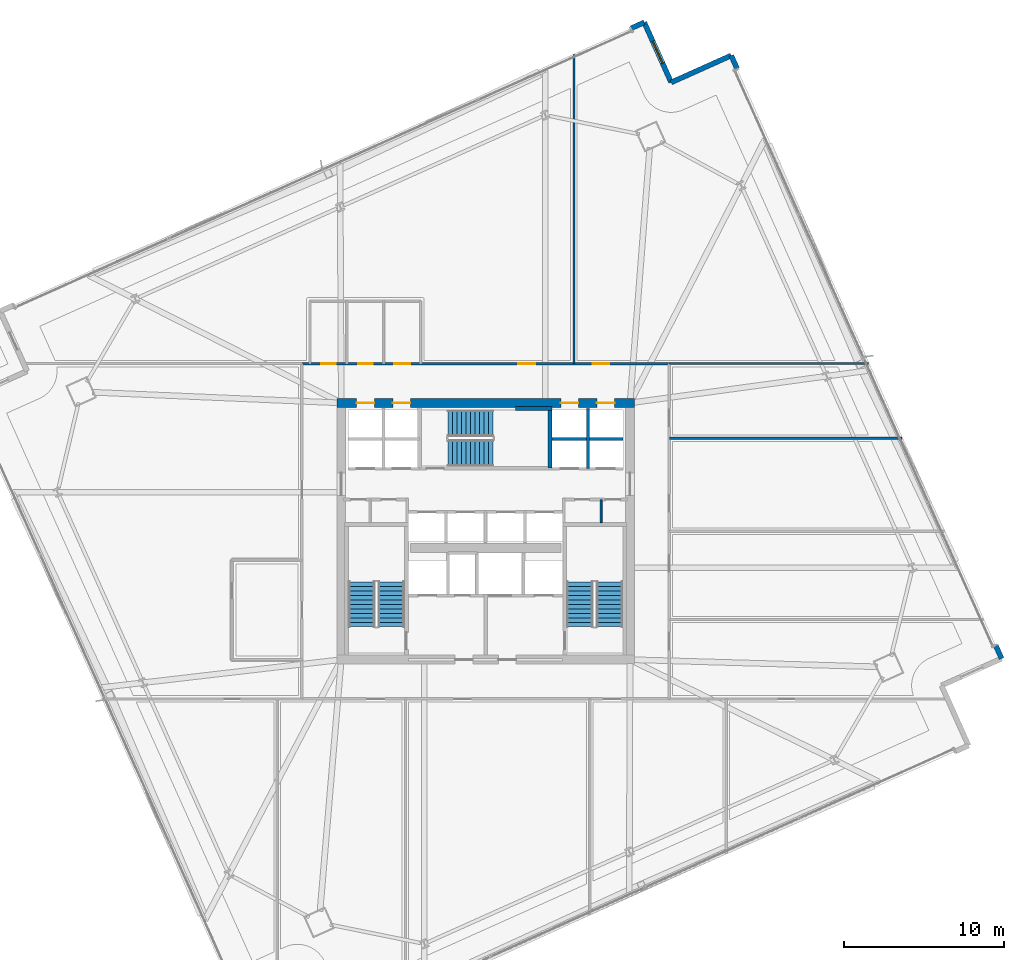
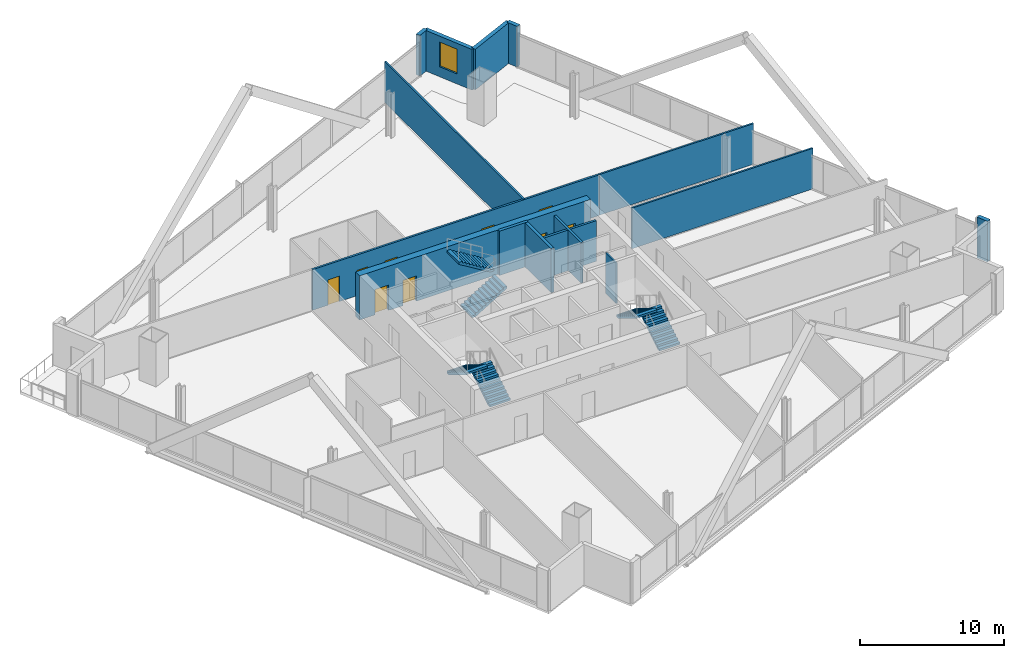
# One storey, part 31 of 38: 15 walls, 9 doors, 6 stair flights, 1 window, 10 openings, 3 elements without a shape of their own.
"""IFC4 building model written with IfcOpenShell, lengths in metres."""

from ifc_helpers import new_model, si_unit, direction, frame, frame_2d, origin, place, context, subcontext, project, spatial, polyline, rectangle, outline, extrude, material, layer, layer_set, type_object, element, fill, aggregate, save


model = new_model("IFC4")

# Units and contexts
model_context = context("Model", 3, precision=1e-05, world=origin(), true_north=direction((0.0, 1.0)))
body_context = subcontext(model_context, "Body", "Model", "MODEL_VIEW")
ifc_project = project(units=[si_unit("LENGTHUNIT", "METRE"), si_unit("AREAUNIT", "SQUARE_METRE"), si_unit("VOLUMEUNIT", "CUBIC_METRE"), si_unit("PLANEANGLEUNIT", "RADIAN"), si_unit("MASSUNIT", "GRAM", prefix="KILO")], contexts=[model_context])

# Site, building, storey
site_placement = place(None, origin())
site = spatial("IfcSite", under=ifc_project, at=site_placement, CompositionType="ELEMENT")
building_placement = place(site_placement, origin())
building = spatial("IfcBuilding", under=site, at=building_placement, Name="Haldenkirk Collegiate Tower", CompositionType="ELEMENT")
storey_placement = place(building_placement, frame((0.0, 0.0, 109.199951171875)))
storey = spatial("IfcBuildingStorey", under=building, at=storey_placement, Name="L26", CompositionType="ELEMENT", Elevation=109.199951171875)

# Wall, openings, doors
ifc_material_1 = material(Name="Concrete f'c 70 MPa", Category="concrete")
ifc_layer_1 = layer(ifc_material_1, 0.550048828125)
ifc_layer_set_1 = layer_set([ifc_layer_1], Name="Concrete f'c 70 MPa")
wall_type_1 = type_object("IfcWallType", Name="WL-CORE-550", PredefinedType="SHEAR", material=ifc_layer_set_1)
wall_1_placement = place(storey_placement, frame((26.72509765625, 34.0, 0.0), z_axis=(0.0, 0.0, 1.0), x_axis=(1.0, 0.0, 0.0)))
wall_1 = element("IfcWall", 1, at=wall_1_placement, inside=storey, type_object=wall_type_1, Name="L26 central core shear wall N", PredefinedType="SHEAR", context=body_context, shape_type="SweptSolid", body=[
    extrude(rectangle(XDim=18.5498046875, YDim=0.550048828125, at=frame_2d((9.27490234375, 0.0))), origin(), (0.0, 0.0, 1.0), 3.75),
])
opening_1_placement = place(wall_1_placement, frame((1.239990234375, 0.0, 0.0)))
opening_1 = element("IfcOpeningElement", 2, at=opening_1_placement, cuts=wall_1, Name="Opening LD-11", PredefinedType="OPENING", context=body_context, shape_type="SweptSolid", body=[
    extrude(rectangle(XDim=1.10009765625, YDim=2.14990234375, at=frame_2d((0.550048828125, 1.074951171875))), frame((0.0, 0.284912109375, 0.0), z_axis=(0.0, -1.0, 0.0), x_axis=(1.0, 0.0, 0.0)), (0.0, 0.0, 1.0), 0.570068359375),
])
opening_2_placement = place(wall_1_placement, frame((3.489990234375, 0.0, 0.0)))
opening_2 = element("IfcOpeningElement", 3, at=opening_2_placement, cuts=wall_1, Name="Opening LD-11", PredefinedType="OPENING", context=body_context, shape_type="SweptSolid", body=[
    extrude(rectangle(XDim=1.10009765625, YDim=2.14990234375, at=frame_2d((0.550048828125, 1.074951171875))), frame((0.0, 0.284912109375, 0.0), z_axis=(0.0, -1.0, 0.0), x_axis=(1.0, 0.0, 0.0)), (0.0, 0.0, 1.0), 0.570068359375),
])
opening_3_placement = place(wall_1_placement, frame((13.9599609375, 0.0, 0.0)))
opening_3 = element("IfcOpeningElement", 4, at=opening_3_placement, cuts=wall_1, Name="Opening LD-11", PredefinedType="OPENING", context=body_context, shape_type="SweptSolid", body=[
    extrude(rectangle(XDim=1.10009765625, YDim=2.14990234375, at=frame_2d((0.550048828125, 1.074951171875))), frame((0.0, 0.284912109375, 0.0), z_axis=(0.0, -1.0, 0.0), x_axis=(1.0, 0.0, 0.0)), (0.0, 0.0, 1.0), 0.570068359375),
])
opening_4_placement = place(wall_1_placement, frame((16.2099609375, 0.0, 0.0)))
opening_4 = element("IfcOpeningElement", 5, at=opening_4_placement, cuts=wall_1, Name="Opening LD-11", PredefinedType="OPENING", context=body_context, shape_type="SweptSolid", body=[
    extrude(rectangle(XDim=1.10009765625, YDim=2.14990234375, at=frame_2d((0.550048828125, 1.074951171875))), frame((0.0, 0.284912109375, 0.0), z_axis=(0.0, -1.0, 0.0), x_axis=(1.0, 0.0, 0.0)), (0.0, 0.0, 1.0), 0.570068359375),
])
ifc_material_2 = material(Name="Brushed architectural stainless steel", Category="steel")
ifc_layer_2 = layer(ifc_material_2, 0.06005859375)
ifc_layer_set_2 = layer_set([ifc_layer_2], Name="Brushed architectural stainless steel")
door_type_1 = type_object("IfcDoorType", Name="LD-PASS-1100", OperationType="NOTDEFINED", PredefinedType="DOOR", material=ifc_layer_set_2)
door_1_placement = place(opening_1_placement, origin())
door_1 = element("IfcDoor", 6, at=door_1_placement, inside=storey, type_object=door_type_1, Name="L26 Elevator PL3 sliding landing door", OperationType="SLIDING_TO_LEFT", OverallHeight=2.14990234375, OverallWidth=1.10009765625, PredefinedType="DOOR", context=body_context, shape_type="SweptSolid", body=[
    extrude(rectangle(XDim=1.10009765625, YDim=2.14990234375, at=frame_2d((0.550048828125, 1.074951171875))), frame((0.0, 0.02490234375, 0.0), z_axis=(0.0, -1.0, 0.0), x_axis=(1.0, 0.0, 0.0)), (0.0, 0.0, 1.0), 0.050048828125),
])
fill(opening_1, door_1)
door_2_placement = place(opening_2_placement, origin())
door_2 = element("IfcDoor", 7, at=door_2_placement, inside=storey, type_object=door_type_1, Name="L26 Elevator PL4 sliding landing door", OperationType="SLIDING_TO_LEFT", OverallHeight=2.14990234375, OverallWidth=1.10009765625, PredefinedType="DOOR", context=body_context, shape_type="SweptSolid", body=[
    extrude(rectangle(XDim=1.10009765625, YDim=2.14990234375, at=frame_2d((0.550048828125, 1.074951171875))), frame((0.0, 0.02490234375, 0.0), z_axis=(0.0, -1.0, 0.0), x_axis=(1.0, 0.0, 0.0)), (0.0, 0.0, 1.0), 0.050048828125),
])
fill(opening_2, door_2)
door_3_placement = place(opening_3_placement, origin())
door_3 = element("IfcDoor", 8, at=door_3_placement, inside=storey, type_object=door_type_1, Name="L26 Elevator PM3 sliding landing door", OperationType="SLIDING_TO_LEFT", OverallHeight=2.14990234375, OverallWidth=1.10009765625, PredefinedType="DOOR", context=body_context, shape_type="SweptSolid", body=[
    extrude(rectangle(XDim=1.10009765625, YDim=2.14990234375, at=frame_2d((0.550048828125, 1.074951171875))), frame((0.0, 0.02490234375, 0.0), z_axis=(0.0, -1.0, 0.0), x_axis=(1.0, 0.0, 0.0)), (0.0, 0.0, 1.0), 0.050048828125),
])
fill(opening_3, door_3)
door_4_placement = place(opening_4_placement, origin())
door_4 = element("IfcDoor", 9, at=door_4_placement, inside=storey, type_object=door_type_1, Name="L26 Elevator PM4 sliding landing door", OperationType="SLIDING_TO_LEFT", OverallHeight=2.14990234375, OverallWidth=1.10009765625, PredefinedType="DOOR", context=body_context, shape_type="SweptSolid", body=[
    extrude(rectangle(XDim=1.10009765625, YDim=2.14990234375, at=frame_2d((0.550048828125, 1.074951171875))), frame((0.0, 0.02490234375, 0.0), z_axis=(0.0, -1.0, 0.0), x_axis=(1.0, 0.0, 0.0)), (0.0, 0.0, 1.0), 0.050048828125),
])
fill(opening_4, door_4)

# Walls
ifc_material_3 = material(Name="Precast concrete f'c 40 MPa", Category="concrete")
ifc_layer_3 = layer(ifc_material_3, 0.320068359375)
ifc_layer_set_3 = layer_set([ifc_layer_3], Name="Precast concrete f'c 40 MPa")
wall_type_2 = type_object("IfcWallType", Name="WL-EXT-TWR-320", PredefinedType="STANDARD", material=ifc_layer_set_3)
for number, where, z_axis, x_axis, name in (
    (10, (51.305908203125, 55.65771484375, 0.0), (0.0, 0.0, 1.0), (0.409055904093, -0.912509324515, 0.0), "L26 precast corner pier EL"),
    (11, (67.793701171875, 18.885009765625, 0.0), (0.0, 0.0, 1.0), (0.409055904093, -0.912509324515, 0.0), "L26 precast corner pier ER"),
):
    element("IfcWall", number, at=place(storey_placement, frame(where, z_axis=z_axis, x_axis=x_axis)), inside=storey, type_object=wall_type_2, Name=name, PredefinedType="STANDARD", context=body_context, shape_type="SweptSolid", body=[
        extrude(rectangle(XDim=0.900146484375, YDim=0.320068359375, at=frame_2d((0.4501953125, 0.0))), origin(), (0.0, 0.0, 1.0), 3.449951171875),
    ])
wall_2_placement = place(storey_placement, frame((47.564697265625, 53.980224609375, 0.0), z_axis=(0.0, 0.0, 1.0), x_axis=(0.912473298974, 0.409136259283, 0.0)))
element("IfcWall", 12, at=wall_2_placement, inside=storey, type_object=wall_type_2, Name="L26 bronze precast notch wall 05", PredefinedType="STANDARD", context=body_context, shape_type="SweptSolid", body=[
    extrude(rectangle(XDim=4.10009765625, YDim=0.320068359375, at=frame_2d((2.050048828125, 0.0))), origin(), (0.0, 0.0, 1.0), 3.449951171875),
])

# Wall, opening, window
wall_3_placement = place(storey_placement, frame((45.88720703125, 57.721435546875, 0.0), z_axis=(0.0, 0.0, 1.0), x_axis=(0.409136259283, -0.912473298974, 0.0)))
wall_3 = element("IfcWall", 13, at=wall_3_placement, inside=storey, type_object=wall_type_2, Name="L26 bronze precast notch wall 06", PredefinedType="STANDARD", context=body_context, shape_type="SweptSolid", body=[
    extrude(rectangle(XDim=4.10009765625, YDim=0.320068359375, at=frame_2d((2.050048828125, 0.0))), origin(), (0.0, 0.0, 1.0), 3.449951171875),
])
opening_5_placement = place(wall_3_placement, frame((1.300048828125, 0.0, 0.85009765625)))
opening_5 = element("IfcOpeningElement", 14, at=opening_5_placement, cuts=wall_3, Name="Opening W-04", PredefinedType="OPENING", context=body_context, shape_type="SweptSolid", body=[
    extrude(rectangle(XDim=1.5, YDim=2.10009765625, at=frame_2d((0.75, 1.050048828125))), frame((0.0, 0.169921875, 0.0), z_axis=(0.0, -1.0, 0.0), x_axis=(1.0, 0.0, 0.0)), (0.0, 0.0, 1.0), 0.340087890625),
])
ifc_material_4 = material(Name="Low-E argon triple insulating glass", Category="glass")
ifc_layer_4 = layer(ifc_material_4, 0.090087890625)
ifc_layer_set_4 = layer_set([ifc_layer_4], Name="Low-E argon triple insulating glass")
window_type = type_object("IfcWindowType", Name="WN-Z2-1500X2100", PartitioningType="SINGLE_PANEL", PredefinedType="WINDOW", material=ifc_layer_set_4)
window_placement = place(opening_5_placement, origin())
window = element("IfcWindow", 15, at=window_placement, inside=storey, type_object=window_type, Name="L26 precast-frame academic window 5", OverallHeight=2.10009765625, OverallWidth=1.5, PartitioningType="SINGLE_PANEL", PredefinedType="WINDOW", context=body_context, shape_type="SweptSolid", body=[
    extrude(rectangle(XDim=1.5, YDim=2.10009765625, at=frame_2d((0.75, 1.050048828125))), frame((0.0, 0.030029296875, 0.0), z_axis=(0.0, -1.0, 0.0), x_axis=(1.0, 0.0, 0.0)), (0.0, 0.0, 1.0), 0.06005859375),
])
fill(opening_5, window)

# Wall
wall_4_placement = place(storey_placement, frame((45.06591796875, 57.353271484375, 0.0), z_axis=(0.0, 0.0, 1.0), x_axis=(0.912509324515, 0.409055904093, 0.0)))
element("IfcWall", 16, at=wall_4_placement, inside=storey, type_object=wall_type_2, Name="L26 precast corner pier NR", PredefinedType="STANDARD", context=body_context, shape_type="SweptSolid", body=[
    extrude(rectangle(XDim=0.900146484375, YDim=0.320068359375, at=frame_2d((0.4501953125, 0.0))), origin(), (0.0, 0.0, 1.0), 3.449951171875),
])

# Wall, openings, doors
ifc_material_5 = material(Name="Acoustic fire-rated gypsum partition", Category="concrete")
ifc_layer_5 = layer(ifc_material_5, 0.159912109375)
ifc_layer_set_5 = layer_set([ifc_layer_5], Name="Acoustic fire-rated gypsum partition")
wall_type_3 = type_object("IfcWallType", Name="WL-INT-CORR-160", PredefinedType="PARTITIONING", material=ifc_layer_set_5)
wall_5_placement = place(storey_placement, frame((24.5, 36.449951171875, 0.0), z_axis=(0.0, 0.0, 1.0), x_axis=(1.0, 0.0, 0.0)))
wall_5 = element("IfcWall", 17, at=wall_5_placement, inside=storey, type_object=wall_type_3, Name="L26 interior partition IW-L26-CN", PredefinedType="PARTITIONING", context=body_context, shape_type="SweptSolid", body=[
    extrude(rectangle(XDim=23.0, YDim=0.159912109375, at=frame_2d((11.5, 0.0))), origin(), (0.0, 0.0, 1.0), 3.449951171875),
])
opening_6_placement = place(wall_5_placement, frame((1.25, 0.0, 0.0)))
opening_6 = element("IfcOpeningElement", 18, at=opening_6_placement, cuts=wall_5, Name="Opening D-13", PredefinedType="OPENING", context=body_context, shape_type="SweptSolid", body=[
    extrude(rectangle(XDim=0.89990234375, YDim=2.14990234375, at=frame_2d((0.449951171875, 1.074951171875))), frame((0.0, 0.08984375, 0.0), z_axis=(0.0, -1.0, 0.0), x_axis=(1.0, 0.0, 0.0)), (0.0, 0.0, 1.0), 0.179931640625),
])
opening_7_placement = place(wall_5_placement, frame((3.550048828125, 0.0, 0.0)))
opening_7 = element("IfcOpeningElement", 19, at=opening_7_placement, cuts=wall_5, Name="Opening D-13", PredefinedType="OPENING", context=body_context, shape_type="SweptSolid", body=[
    extrude(rectangle(XDim=0.89990234375, YDim=2.14990234375, at=frame_2d((0.449951171875, 1.074951171875))), frame((0.0, 0.08984375, 0.0), z_axis=(0.0, -1.0, 0.0), x_axis=(1.0, 0.0, 0.0)), (0.0, 0.0, 1.0), 0.179931640625),
])
opening_8_placement = place(wall_5_placement, frame((5.800048828125, 0.0, 0.0)))
opening_8 = element("IfcOpeningElement", 20, at=opening_8_placement, cuts=wall_5, Name="Opening D-14", PredefinedType="OPENING", context=body_context, shape_type="SweptSolid", body=[
    extrude(rectangle(XDim=1.0, YDim=2.14990234375, at=frame_2d((0.5, 1.074951171875))), frame((0.0, 0.08984375, 0.0), z_axis=(0.0, -1.0, 0.0), x_axis=(1.0, 0.0, 0.0)), (0.0, 0.0, 1.0), 0.179931640625),
])
opening_9_placement = place(wall_5_placement, frame((13.544921875, 0.0, 0.0)))
opening_9 = element("IfcOpeningElement", 21, at=opening_9_placement, cuts=wall_5, Name="Opening D-09", PredefinedType="OPENING", context=body_context, shape_type="SweptSolid", body=[
    extrude(rectangle(XDim=1.050048828125, YDim=2.14990234375, at=frame_2d((0.52490234375, 1.074951171875))), frame((0.0, 0.08984375, 0.0), z_axis=(0.0, -1.0, 0.0), x_axis=(1.0, 0.0, 0.0)), (0.0, 0.0, 1.0), 0.179931640625),
])
opening_10_placement = place(wall_5_placement, frame((18.1689453125, 0.0, 0.0)))
opening_10 = element("IfcOpeningElement", 22, at=opening_10_placement, cuts=wall_5, Name="Opening D-09", PredefinedType="OPENING", context=body_context, shape_type="SweptSolid", body=[
    extrude(rectangle(XDim=1.050048828125, YDim=2.14990234375, at=frame_2d((0.52490234375, 1.074951171875))), frame((0.0, 0.08984375, 0.0), z_axis=(0.0, -1.0, 0.0), x_axis=(1.0, 0.0, 0.0)), (0.0, 0.0, 1.0), 0.179931640625),
])
ifc_material_6 = material(Name="Solid-core architectural oak fire door", Category="wood")
ifc_layer_6 = layer(ifc_material_6, 0.06005859375)
ifc_layer_set_6 = layer_set([ifc_layer_6], Name="Solid-core architectural oak fire door")
door_type_2 = type_object("IfcDoorType", Name="DR-INT-ACC-1000", OperationType="NOTDEFINED", PredefinedType="DOOR", material=ifc_layer_set_6)
door_5_placement = place(opening_8_placement, origin())
door_5 = element("IfcDoor", 23, at=door_5_placement, inside=storey, type_object=door_type_2, Name="L26 Accessible WC door", OperationType="SINGLE_SWING_RIGHT", OverallHeight=2.14990234375, OverallWidth=1.0, PredefinedType="DOOR", context=body_context, shape_type="SweptSolid", body=[
    extrude(rectangle(XDim=1.0, YDim=2.14990234375, at=frame_2d((0.5, 1.074951171875))), frame((0.0, 0.02490234375, 0.0), z_axis=(0.0, -1.0, 0.0), x_axis=(1.0, 0.0, 0.0)), (0.0, 0.0, 1.0), 0.050048828125),
])
fill(opening_8, door_5)
ifc_layer_7 = layer(ifc_material_6, 0.06005859375)
ifc_layer_set_7 = layer_set([ifc_layer_7], Name="Solid-core architectural oak fire door")
door_type_3 = type_object("IfcDoorType", Name="DR-INT-FD60-1050", OperationType="NOTDEFINED", PredefinedType="DOOR", material=ifc_layer_set_7)
door_6_placement = place(opening_9_placement, origin())
door_6 = element("IfcDoor", 24, at=door_6_placement, inside=storey, type_object=door_type_3, Name="L26 Bioengineering Laboratory 6 door", OperationType="SINGLE_SWING_RIGHT", OverallHeight=2.14990234375, OverallWidth=1.050048828125, PredefinedType="DOOR", context=body_context, shape_type="SweptSolid", body=[
    extrude(rectangle(XDim=1.050048828125, YDim=2.14990234375, at=frame_2d((0.52490234375, 1.074951171875))), frame((0.0, 0.02490234375, 0.0), z_axis=(0.0, -1.0, 0.0), x_axis=(1.0, 0.0, 0.0)), (0.0, 0.0, 1.0), 0.050048828125),
])
fill(opening_9, door_6)
door_7_placement = place(opening_10_placement, origin())
door_7 = element("IfcDoor", 25, at=door_7_placement, inside=storey, type_object=door_type_3, Name="L26 Wet Science Laboratory 7 door", OperationType="SINGLE_SWING_LEFT", OverallHeight=2.14990234375, OverallWidth=1.050048828125, PredefinedType="DOOR", context=body_context, shape_type="SweptSolid", body=[
    extrude(rectangle(XDim=1.050048828125, YDim=2.14990234375, at=frame_2d((0.52490234375, 1.074951171875))), frame((0.0, 0.02490234375, 0.0), z_axis=(0.0, -1.0, 0.0), x_axis=(1.0, 0.0, 0.0)), (0.0, 0.0, 1.0), 0.050048828125),
])
fill(opening_10, door_7)
ifc_layer_8 = layer(ifc_material_6, 0.06005859375)
ifc_layer_set_8 = layer_set([ifc_layer_8], Name="Solid-core architectural oak fire door")
door_type_4 = type_object("IfcDoorType", Name="DR-INT-STD-900", OperationType="NOTDEFINED", PredefinedType="DOOR", material=ifc_layer_set_8)
door_8_placement = place(opening_6_placement, origin())
door_8 = element("IfcDoor", 26, at=door_8_placement, inside=storey, type_object=door_type_4, Name="L26 Male WC door", OperationType="SINGLE_SWING_RIGHT", OverallHeight=2.14990234375, OverallWidth=0.89990234375, PredefinedType="DOOR", context=body_context, shape_type="SweptSolid", body=[
    extrude(rectangle(XDim=0.89990234375, YDim=2.14990234375, at=frame_2d((0.449951171875, 1.074951171875))), frame((0.0, 0.02490234375, 0.0), z_axis=(0.0, -1.0, 0.0), x_axis=(1.0, 0.0, 0.0)), (0.0, 0.0, 1.0), 0.050048828125),
])
fill(opening_6, door_8)
door_9_placement = place(opening_7_placement, origin())
door_9 = element("IfcDoor", 27, at=door_9_placement, inside=storey, type_object=door_type_4, Name="L26 Female WC door", OperationType="SINGLE_SWING_LEFT", OverallHeight=2.14990234375, OverallWidth=0.89990234375, PredefinedType="DOOR", context=body_context, shape_type="SweptSolid", body=[
    extrude(rectangle(XDim=0.89990234375, YDim=2.14990234375, at=frame_2d((0.449951171875, 1.074951171875))), frame((0.0, 0.02490234375, 0.0), z_axis=(0.0, -1.0, 0.0), x_axis=(1.0, 0.0, 0.0)), (0.0, 0.0, 1.0), 0.050048828125),
])
fill(opening_7, door_9)

# Walls
ifc_layer_9 = layer(ifc_material_5, 0.139892578125)
ifc_layer_set_9 = layer_set([ifc_layer_9], Name="Acoustic fire-rated gypsum partition")
wall_type_4 = type_object("IfcWallType", Name="WL-INT-DIV-140", PredefinedType="PARTITIONING", material=ifc_layer_set_9)
wall_6_placement = place(storey_placement, frame((47.449951171875, 36.449951171875, 0.0), z_axis=(0.0, 0.0, 1.0), x_axis=(1.0, 0.0, 0.0)))
element("IfcWall", 28, at=wall_6_placement, inside=storey, type_object=wall_type_4, Name="L26 interior partition IW-L26-BEN", PredefinedType="PARTITIONING", context=body_context, shape_type="SweptSolid", body=[
    extrude(rectangle(XDim=12.42431640625, YDim=0.139892578125, at=frame_2d((6.212158203125, 0.0))), origin(), (0.0, 0.0, 1.0), 3.449951171875),
])
wall_7_placement = place(storey_placement, frame((41.5, 36.449951171875, 0.0), z_axis=(0.0, 0.0, 1.0), x_axis=(0.0, 1.0, 0.0)))
element("IfcWall", 29, at=wall_7_placement, inside=storey, type_object=wall_type_4, Name="L26 interior partition IW-L26-RN1", PredefinedType="PARTITIONING", context=body_context, shape_type="SweptSolid", body=[
    extrude(rectangle(XDim=19.2607421875, YDim=0.139892578125, at=frame_2d((9.63037109375, 0.0))), origin(), (0.0, 0.0, 1.0), 3.449951171875),
])
wall_8_placement = place(storey_placement, frame((47.449951171875, 31.800048828125, 0.0), z_axis=(0.0, 0.0, 1.0), x_axis=(1.0, 0.0, 0.0)))
element("IfcWall", 30, at=wall_8_placement, inside=storey, type_object=wall_type_4, Name="L26 interior partition IW-L26-RE3", PredefinedType="PARTITIONING", context=body_context, shape_type="SweptSolid", body=[
    extrude(rectangle(XDim=14.509033203125, YDim=0.139892578125, at=frame_2d((7.25439453125, 0.0))), origin(), (0.0, 0.0, 1.0), 3.449951171875),
])
ifc_material_7 = material(Name="Fire-rated gypsum shaftboard assembly", Category="concrete")
ifc_layer_10 = layer(ifc_material_7, 0.179931640625)
ifc_layer_set_10 = layer_set([ifc_layer_10], Name="Fire-rated gypsum shaftboard assembly")
wall_type_5 = type_object("IfcWallType", Name="WL-INT-SHAFT-180", PredefinedType="PARTITIONING", material=ifc_layer_set_10)
wall_9_placement = place(storey_placement, frame((40.1201171875, 31.75, 0.0), z_axis=(0.0, 0.0, 1.0), x_axis=(1.0, 0.0, 0.0)))
element("IfcWall", 31, at=wall_9_placement, inside=storey, type_object=wall_type_5, Name="L26 interior partition IW-L26-PMM", PredefinedType="PARTITIONING", context=body_context, shape_type="SweptSolid", body=[
    extrude(rectangle(XDim=4.429931640625, YDim=0.179931640625, at=frame_2d((2.21484375, 0.0))), origin(), (0.0, 0.0, 1.0), 3.449951171875),
])
wall_10_placement = place(storey_placement, frame((42.3701171875, 29.89990234375, 0.0), z_axis=(0.0, 0.0, 1.0), x_axis=(0.0, 1.0, 0.0)))
element("IfcWall", 32, at=wall_10_placement, inside=storey, type_object=wall_type_5, Name="L26 interior partition IW-L26-PMV", PredefinedType="PARTITIONING", context=body_context, shape_type="SweptSolid", body=[
    extrude(rectangle(XDim=3.75, YDim=0.179931640625, at=frame_2d((1.875, 0.0))), origin(), (0.0, 0.0, 1.0), 3.449951171875),
])
ifc_layer_11 = layer(ifc_material_5, 0.1201171875)
ifc_layer_set_11 = layer_set([ifc_layer_11], Name="Acoustic fire-rated gypsum partition")
wall_type_6 = type_object("IfcWallType", Name="WL-INT-WET-120", PredefinedType="PARTITIONING", material=ifc_layer_set_11)
wall_11_placement = place(storey_placement, frame((43.199951171875, 26.5400390625, 0.0), z_axis=(0.0, 0.0, 1.0), x_axis=(0.0, 1.0, 0.0)))
element("IfcWall", 33, at=wall_11_placement, inside=storey, type_object=wall_type_6, Name="L26 interior partition IW-L26-VCSE-M", PredefinedType="PARTITIONING", context=body_context, shape_type="SweptSolid", body=[
    extrude(rectangle(XDim=1.43994140625, YDim=0.1201171875, at=frame_2d((0.719970703125, 0.0))), origin(), (0.0, 0.0, 1.0), 3.449951171875),
])
ifc_material_8 = material(Name="Concrete f'c 55 MPa", Category="concrete")
ifc_layer_12 = layer(ifc_material_8, 0.239990234375)
ifc_layer_set_12 = layer_set([ifc_layer_12], Name="Concrete f'c 55 MPa")
wall_type_7 = type_object("IfcWallType", Name="WL-SHAFT-240", PredefinedType="SHEAR", material=ifc_layer_set_12)
wall_12_placement = place(storey_placement, frame((40.02001953125, 29.929931640625, 0.0), z_axis=(0.0, 0.0, 1.0), x_axis=(0.0, 1.0, 0.0)))
element("IfcWall", 34, at=wall_12_placement, inside=storey, type_object=wall_type_7, Name="L26 stair shaft shear wall SW-L26-ST3E", PredefinedType="SHEAR", context=body_context, shape_type="SweptSolid", body=[
    extrude(rectangle(XDim=3.85009765625, YDim=0.239990234375, at=frame_2d((1.925048828125, 0.0))), origin(), (0.0, 0.0, 1.0), 3.75),
])
wall_13_placement = place(storey_placement, frame((37.85009765625, 33.659912109375, 0.0), z_axis=(0.0, 0.0, 1.0), x_axis=(1.0, 0.0, 0.0)))
element("IfcWall", 35, at=wall_13_placement, inside=storey, type_object=wall_type_7, Name="L26 stair shaft shear wall SW-L26-ST3N", PredefinedType="SHEAR", context=body_context, shape_type="SweptSolid", body=[
    extrude(rectangle(XDim=2.289794921875, YDim=0.239990234375, at=frame_2d((1.14501953125, 0.0))), origin(), (0.0, 0.0, 1.0), 3.75),
])

# Stair, stair flights
ifc_material_9 = material(Name="Concrete f'c 40 MPa", Category="concrete")
stair_type = type_object("IfcStairType", Name="STR-DOGLEG-1650", PredefinedType="HALF_TURN_STAIR", material=ifc_material_9)
stair_1_placement = place(storey_placement, origin())
stair_1 = element("IfcStair", 36, at=stair_1_placement, inside=storey, type_object=stair_type, Name="L26 Core Exit Stair ST-1", PredefinedType="HALF_TURN_STAIR")
stair_flight_type = type_object("IfcStairFlightType", Name="STF-FLIGHT-1650", PredefinedType="STRAIGHT", material=ifc_material_9)
stair_flight_1_placement = place(storey_placement, frame((30.125, 20.050048828125, 0.0), z_axis=(0.0, 0.0, 1.0), x_axis=(0.0, 1.0, 0.0)))
stair_flight_1 = element("IfcStairFlight", 37, at=stair_flight_1_placement, type_object=stair_flight_type, Name="ST-1 flight 1", NumberOfRisers=11, NumberOfTreads=10, PredefinedType="STRAIGHT", RiserHeight=0.170454545, TreadLength=0.28, context=body_context, shape_type="SweptSolid", body=[
    extrude(outline(polyline([(0.0, 0.0), (0.0, 0.17041015625), (0.280029296875, 0.17041015625), (0.280029296875, 0.3408203125), (0.56005859375, 0.3408203125), (0.56005859375, 0.511474609375), (0.840087890625, 0.511474609375), (0.840087890625, 0.681884765625), (1.1201171875, 0.681884765625), (1.1201171875, 0.852294921875), (1.39990234375, 0.852294921875), (1.39990234375, 1.022705078125), (1.679931640625, 1.022705078125), (1.679931640625, 1.193115234375), (1.9599609375, 1.193115234375), (1.9599609375, 1.363525390625), (2.239990234375, 1.363525390625), (2.239990234375, 1.5341796875), (2.52001953125, 1.5341796875), (2.52001953125, 1.70458984375), (2.800048828125, 1.70458984375), (2.800048828125, 1.875), (2.800048828125, 1.529052734375), (0.288330078125, 0.0), (0.0, 0.0)])), frame((0.0, 0.824951171875, 0.0), z_axis=(0.0, -1.0, 0.0), x_axis=(1.0, 0.0, 0.0)), (0.0, 0.0, 1.0), 1.64990234375),
])
stair_flight_2_placement = place(storey_placement, frame((28.27490234375, 22.85009765625, 1.875), z_axis=(0.0, 0.0, 1.0), x_axis=(0.0, -1.0, 0.0)))
stair_flight_2 = element("IfcStairFlight", 38, at=stair_flight_2_placement, type_object=stair_flight_type, Name="ST-1 flight 2", NumberOfRisers=11, NumberOfTreads=10, PredefinedType="STRAIGHT", RiserHeight=0.170454545, TreadLength=0.28, context=body_context, shape_type="SweptSolid", body=[
    extrude(outline(polyline([(0.0, 0.0), (0.0, 0.17041015625), (0.280029296875, 0.17041015625), (0.280029296875, 0.3408203125), (0.56005859375, 0.3408203125), (0.56005859375, 0.511474609375), (0.840087890625, 0.511474609375), (0.840087890625, 0.681884765625), (1.1201171875, 0.681884765625), (1.1201171875, 0.852294921875), (1.39990234375, 0.852294921875), (1.39990234375, 1.022705078125), (1.679931640625, 1.022705078125), (1.679931640625, 1.193115234375), (1.9599609375, 1.193115234375), (1.9599609375, 1.363525390625), (2.239990234375, 1.363525390625), (2.239990234375, 1.5341796875), (2.52001953125, 1.5341796875), (2.52001953125, 1.70458984375), (2.800048828125, 1.70458984375), (2.800048828125, 1.875), (2.800048828125, 1.529052734375), (0.288330078125, 0.0), (0.0, 0.0)])), frame((0.0, 0.824951171875, 0.0), z_axis=(0.0, -1.0, 0.0), x_axis=(1.0, 0.0, 0.0)), (0.0, 0.0, 1.0), 1.64990234375),
])
aggregate(stair_1, [stair_flight_1, stair_flight_2])

stair_2_placement = place(storey_placement, origin())
stair_2 = element("IfcStair", 39, at=stair_2_placement, inside=storey, type_object=stair_type, Name="L26 Core Exit Stair ST-2", PredefinedType="HALF_TURN_STAIR")
stair_flight_3_placement = place(storey_placement, frame((43.72509765625, 20.050048828125, 0.0), z_axis=(0.0, 0.0, 1.0), x_axis=(0.0, 1.0, 0.0)))
stair_flight_3 = element("IfcStairFlight", 40, at=stair_flight_3_placement, type_object=stair_flight_type, Name="ST-2 flight 1", NumberOfRisers=11, NumberOfTreads=10, PredefinedType="STRAIGHT", RiserHeight=0.170454545, TreadLength=0.28, context=body_context, shape_type="SweptSolid", body=[
    extrude(outline(polyline([(0.0, 0.0), (0.0, 0.17041015625), (0.280029296875, 0.17041015625), (0.280029296875, 0.3408203125), (0.56005859375, 0.3408203125), (0.56005859375, 0.511474609375), (0.840087890625, 0.511474609375), (0.840087890625, 0.681884765625), (1.1201171875, 0.681884765625), (1.1201171875, 0.852294921875), (1.39990234375, 0.852294921875), (1.39990234375, 1.022705078125), (1.679931640625, 1.022705078125), (1.679931640625, 1.193115234375), (1.9599609375, 1.193115234375), (1.9599609375, 1.363525390625), (2.239990234375, 1.363525390625), (2.239990234375, 1.5341796875), (2.52001953125, 1.5341796875), (2.52001953125, 1.70458984375), (2.800048828125, 1.70458984375), (2.800048828125, 1.875), (2.800048828125, 1.529052734375), (0.288330078125, 0.0), (0.0, 0.0)])), frame((0.0, 0.824951171875, 0.0), z_axis=(0.0, -1.0, 0.0), x_axis=(1.0, 0.0, 0.0)), (0.0, 0.0, 1.0), 1.64990234375),
])
stair_flight_4_placement = place(storey_placement, frame((41.875, 22.85009765625, 1.875), z_axis=(0.0, 0.0, 1.0), x_axis=(0.0, -1.0, 0.0)))
stair_flight_4 = element("IfcStairFlight", 41, at=stair_flight_4_placement, type_object=stair_flight_type, Name="ST-2 flight 2", NumberOfRisers=11, NumberOfTreads=10, PredefinedType="STRAIGHT", RiserHeight=0.170454545, TreadLength=0.28, context=body_context, shape_type="SweptSolid", body=[
    extrude(outline(polyline([(0.0, 0.0), (0.0, 0.17041015625), (0.280029296875, 0.17041015625), (0.280029296875, 0.3408203125), (0.56005859375, 0.3408203125), (0.56005859375, 0.511474609375), (0.840087890625, 0.511474609375), (0.840087890625, 0.681884765625), (1.1201171875, 0.681884765625), (1.1201171875, 0.852294921875), (1.39990234375, 0.852294921875), (1.39990234375, 1.022705078125), (1.679931640625, 1.022705078125), (1.679931640625, 1.193115234375), (1.9599609375, 1.193115234375), (1.9599609375, 1.363525390625), (2.239990234375, 1.363525390625), (2.239990234375, 1.5341796875), (2.52001953125, 1.5341796875), (2.52001953125, 1.70458984375), (2.800048828125, 1.70458984375), (2.800048828125, 1.875), (2.800048828125, 1.529052734375), (0.288330078125, 0.0), (0.0, 0.0)])), frame((0.0, 0.824951171875, 0.0), z_axis=(0.0, -1.0, 0.0), x_axis=(1.0, 0.0, 0.0)), (0.0, 0.0, 1.0), 1.64990234375),
])
aggregate(stair_2, [stair_flight_3, stair_flight_4])

stair_3_placement = place(storey_placement, origin())
stair_3 = element("IfcStair", 42, at=stair_3_placement, inside=storey, type_object=stair_type, Name="L26 Core Exit Stair ST-3", PredefinedType="HALF_TURN_STAIR")
stair_flight_5_placement = place(storey_placement, frame((33.64990234375, 30.875, 0.0), z_axis=(0.0, 0.0, 1.0), x_axis=(1.0, 0.0, 0.0)))
stair_flight_5 = element("IfcStairFlight", 43, at=stair_flight_5_placement, type_object=stair_flight_type, Name="ST-3 flight 1", NumberOfRisers=11, NumberOfTreads=10, PredefinedType="STRAIGHT", RiserHeight=0.170454545, TreadLength=0.28, context=body_context, shape_type="SweptSolid", body=[
    extrude(outline(polyline([(0.0, 0.0), (0.0, 0.17041015625), (0.280029296875, 0.17041015625), (0.280029296875, 0.3408203125), (0.56005859375, 0.3408203125), (0.56005859375, 0.511474609375), (0.840087890625, 0.511474609375), (0.840087890625, 0.681884765625), (1.1201171875, 0.681884765625), (1.1201171875, 0.852294921875), (1.39990234375, 0.852294921875), (1.39990234375, 1.022705078125), (1.679931640625, 1.022705078125), (1.679931640625, 1.193115234375), (1.9599609375, 1.193115234375), (1.9599609375, 1.363525390625), (2.239990234375, 1.363525390625), (2.239990234375, 1.5341796875), (2.52001953125, 1.5341796875), (2.52001953125, 1.70458984375), (2.800048828125, 1.70458984375), (2.800048828125, 1.875), (2.800048828125, 1.529052734375), (0.288330078125, 0.0), (0.0, 0.0)])), frame((0.0, 0.824951171875, 0.0), z_axis=(0.0, -1.0, 0.0), x_axis=(1.0, 0.0, 0.0)), (0.0, 0.0, 1.0), 1.64990234375),
])
stair_flight_6_placement = place(storey_placement, frame((36.449951171875, 32.72509765625, 1.875), z_axis=(0.0, 0.0, 1.0), x_axis=(-1.0, 0.0, 0.0)))
stair_flight_6 = element("IfcStairFlight", 44, at=stair_flight_6_placement, type_object=stair_flight_type, Name="ST-3 flight 2", NumberOfRisers=11, NumberOfTreads=10, PredefinedType="STRAIGHT", RiserHeight=0.170454545, TreadLength=0.28, context=body_context, shape_type="SweptSolid", body=[
    extrude(outline(polyline([(0.0, 0.0), (0.0, 0.17041015625), (0.280029296875, 0.17041015625), (0.280029296875, 0.3408203125), (0.56005859375, 0.3408203125), (0.56005859375, 0.511474609375), (0.840087890625, 0.511474609375), (0.840087890625, 0.681884765625), (1.1201171875, 0.681884765625), (1.1201171875, 0.852294921875), (1.39990234375, 0.852294921875), (1.39990234375, 1.022705078125), (1.679931640625, 1.022705078125), (1.679931640625, 1.193115234375), (1.9599609375, 1.193115234375), (1.9599609375, 1.363525390625), (2.239990234375, 1.363525390625), (2.239990234375, 1.5341796875), (2.52001953125, 1.5341796875), (2.52001953125, 1.70458984375), (2.800048828125, 1.70458984375), (2.800048828125, 1.875), (2.800048828125, 1.529052734375), (0.288330078125, 0.0), (0.0, 0.0)])), frame((0.0, 0.824951171875, 0.0), z_axis=(0.0, -1.0, 0.0), x_axis=(1.0, 0.0, 0.0)), (0.0, 0.0, 1.0), 1.64990234375),
])
aggregate(stair_3, [stair_flight_5, stair_flight_6])

save(model, "model.ifc")
